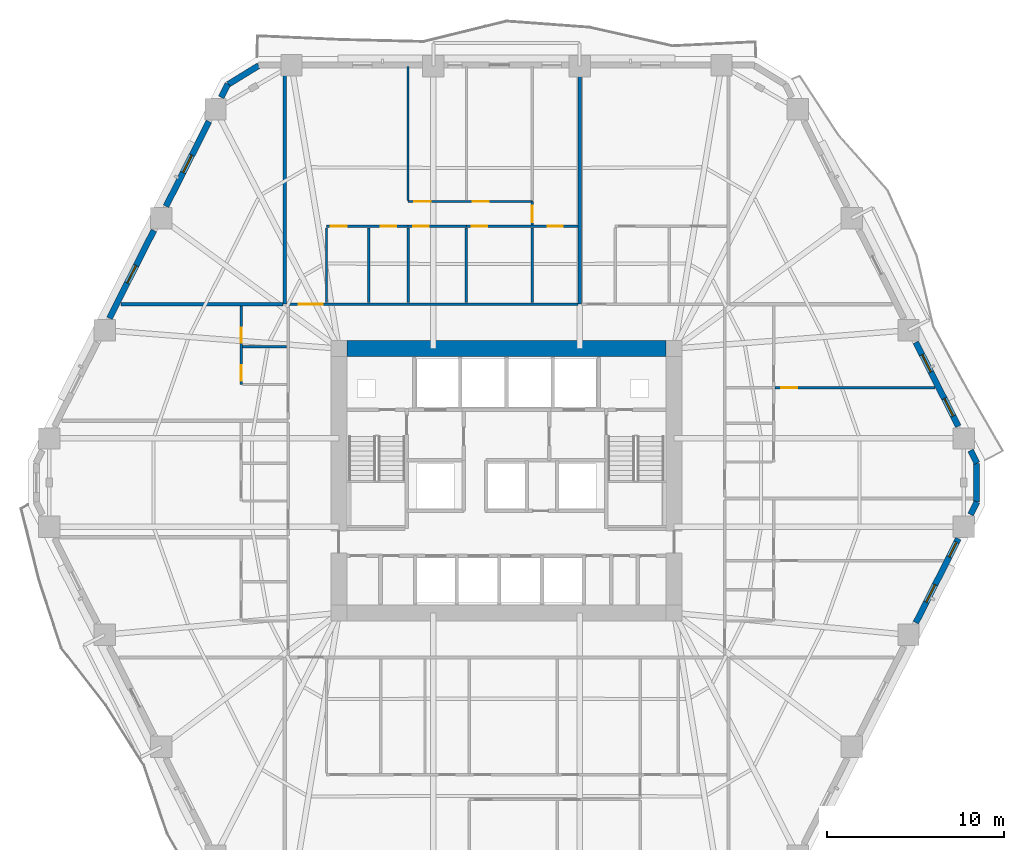
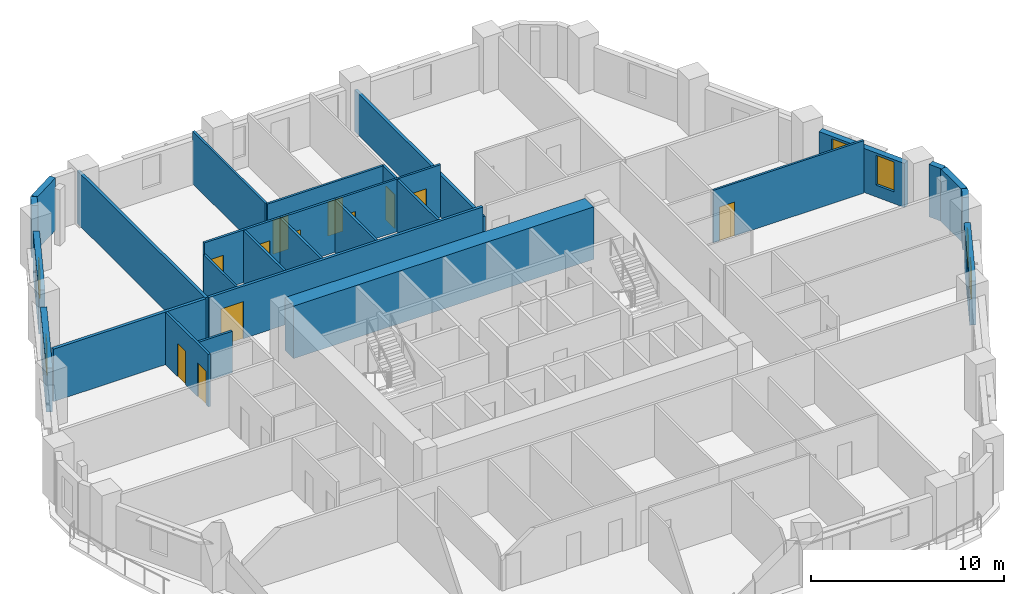
# One storey, part 7 of 14: 28 walls, 12 doors, 6 windows, 18 openings.
"""IFC4 building model written with IfcOpenShell, lengths in metres."""

from ifc_helpers import new_model, si_unit, direction, frame, frame_2d, origin, place, context, subcontext, project, spatial, rectangle, extrude, material, layer, layer_set, type_object, element, fill, save


model = new_model("IFC4")

# Units and contexts
model_context = context("Model", 3, precision=1e-05, world=origin(), true_north=direction((0.0, 1.0)))
body_context = subcontext(model_context, "Body", "Model", "MODEL_VIEW")
ifc_project = project(units=[si_unit("LENGTHUNIT", "METRE"), si_unit("AREAUNIT", "SQUARE_METRE"), si_unit("VOLUMEUNIT", "CUBIC_METRE"), si_unit("PLANEANGLEUNIT", "RADIAN"), si_unit("MASSUNIT", "GRAM", prefix="KILO")], contexts=[model_context])

# Site, building, storey
site_placement = place(None, origin())
site = spatial("IfcSite", under=ifc_project, at=site_placement, CompositionType="ELEMENT")
building_placement = place(site_placement, origin())
building = spatial("IfcBuilding", under=site, at=building_placement, Name="Cinnabar Lancet Tower", CompositionType="ELEMENT")
storey_placement = place(building_placement, frame((0.0, 0.0, 67.5)))
storey = spatial("IfcBuildingStorey", under=building, at=storey_placement, Name="L17", CompositionType="ELEMENT", Elevation=67.5)

# Wall, opening, door
ifc_material_1 = material(Name="Acoustic twin-stud gypsum partition", Category="gypsum")
ifc_layer_1 = layer(ifc_material_1, 0.159912109375)
ifc_layer_set_1 = layer_set([ifc_layer_1], Name="Acoustic twin-stud gypsum partition")
wall_type_1 = type_object("IfcWallType", Name="ARC-WL-CORR-160", PredefinedType="PARTITIONING", material=ifc_layer_set_1)
wall_1_placement = place(storey_placement, frame((19.9951171875, 35.85009765625, 0.0), z_axis=(0.0, 0.0, 1.0), x_axis=(1.0, 0.0, 0.0)))
wall_1 = element("IfcWall", 1, at=wall_1_placement, inside=storey, type_object=wall_type_1, Name="L17 Unit N01 Corridor Wall", PredefinedType="PARTITIONING", context=body_context, shape_type="SweptSolid", body=[
    extrude(rectangle(XDim=16.431884765625, YDim=0.159912109375, at=frame_2d((8.2158203125, 0.0))), origin(), (0.0, 0.0, 1.0), 3.330078125),
])
opening_1_placement = place(wall_1_placement, frame((0.705078125, 0.0, 0.0)))
opening_1 = element("IfcOpeningElement", 2, at=opening_1_placement, cuts=wall_1, Name="Opening UD-02", PredefinedType="OPENING", context=body_context, shape_type="SweptSolid", body=[
    extrude(rectangle(XDim=1.35009765625, YDim=2.35009765625, at=frame_2d((0.675048828125, 1.175048828125))), frame((0.0, 0.08984375, 0.0), z_axis=(0.0, -1.0, 0.0), x_axis=(1.0, 0.0, 0.0)), (0.0, 0.0, 1.0), 0.179931640625),
])
ifc_material_2 = material(Name="Double-leaf solid timber penthouse entrance door", Category="wood")
door_type_1 = type_object("IfcDoorType", Name="ARC-DR-UNIT-PH", OperationType="NOTDEFINED", PredefinedType="DOOR", material=ifc_material_2)
door_1_placement = place(opening_1_placement, origin())
door_1 = element("IfcDoor", 3, at=door_1_placement, inside=storey, type_object=door_type_1, Name="DR-L17-N01-ENT", OperationType="SINGLE_SWING_RIGHT", OverallHeight=2.35009765625, OverallWidth=1.35009765625, PredefinedType="DOOR", context=body_context, shape_type="SweptSolid", body=[
    extrude(rectangle(XDim=1.35009765625, YDim=2.35009765625, at=frame_2d((0.675048828125, 1.175048828125))), frame((0.0, 0.02490234375, 0.0), z_axis=(0.0, -1.0, 0.0), x_axis=(1.0, 0.0, 0.0)), (0.0, 0.0, 1.0), 0.050048828125),
])
fill(opening_1, door_1)

# Walls
ifc_material_3 = material(Name="Fire-rated twin-frame acoustic drywall", Category="gypsum")
ifc_layer_2 = layer(ifc_material_3, 0.179931640625)
ifc_layer_set_2 = layer_set([ifc_layer_2], Name="Fire-rated twin-frame acoustic drywall")
wall_type_2 = type_object("IfcWallType", Name="ARC-WL-PARTY-180", PredefinedType="PARTITIONING", material=ifc_layer_set_2)
wall_2_placement = place(storey_placement, frame((19.89990234375, 35.85009765625, 0.0), z_axis=(0.0, 0.0, 1.0), x_axis=(0.0, 1.0, 0.0)))
element("IfcWall", 4, at=wall_2_placement, inside=storey, type_object=wall_type_2, Name="PW-L17-NPTY-199", PredefinedType="PARTITIONING", context=body_context, shape_type="SweptSolid", body=[
    extrude(rectangle(XDim=13.294921875, YDim=0.179931640625, at=frame_2d((6.6474609375, 0.0))), origin(), (0.0, 0.0, 1.0), 3.330078125),
])
wall_3_placement = place(storey_placement, frame((36.52197265625, 35.85009765625, 0.0), z_axis=(0.0, 0.0, 1.0), x_axis=(0.0, 1.0, 0.0)))
element("IfcWall", 5, at=wall_3_placement, inside=storey, type_object=wall_type_2, Name="PW-L17-NPTY-365", PredefinedType="PARTITIONING", context=body_context, shape_type="SweptSolid", body=[
    extrude(rectangle(XDim=13.294921875, YDim=0.179931640625, at=frame_2d((6.6474609375, 0.0))), origin(), (0.0, 0.0, 1.0), 2.635986328125),
])
wall_4_placement = place(storey_placement, frame((10.6650390625, 35.85009765625, 0.0), z_axis=(0.0, 0.0, 1.0), x_axis=(1.0, 0.0, 0.0)))
element("IfcWall", 6, at=wall_4_placement, inside=storey, type_object=wall_type_2, Name="PW-L17-WNB", PredefinedType="PARTITIONING", context=body_context, shape_type="SweptSolid", body=[
    extrude(rectangle(XDim=9.139892578125, YDim=0.179931640625, at=frame_2d((4.56982421875, 0.0))), origin(), (0.0, 0.0, 1.0), 3.330078125),
])
ifc_material_4 = material(Name="Gypsum plasterboard stud partition", Category="gypsum")
ifc_layer_3 = layer(ifc_material_4, 0.125)
ifc_layer_set_3 = layer_set([ifc_layer_3], Name="Gypsum plasterboard stud partition")
wall_type_3 = type_object("IfcWallType", Name="ARC-WL-UNIT-125", PredefinedType="PARTITIONING", material=ifc_layer_set_3)
wall_5_placement = place(storey_placement, frame((22.25, 35.93505859375, 0.0), z_axis=(0.0, 0.0, 1.0), x_axis=(0.0, 1.0, 0.0)))
element("IfcWall", 7, at=wall_5_placement, inside=storey, type_object=wall_type_3, Name="UW-L17-N01-FOYE", PredefinedType="PARTITIONING", context=body_context, shape_type="SweptSolid", body=[
    extrude(rectangle(XDim=4.197021484375, YDim=0.125, at=frame_2d((2.0986328125, 0.0))), origin(), (0.0, 0.0, 1.0), 2.635986328125),
])

# Wall, openings, doors
wall_6_placement = place(storey_placement, frame((30.137939453125, 40.237060546875, 0.0), z_axis=(0.0, 0.0, 1.0), x_axis=(1.0, 0.0, 0.0)))
wall_6 = element("IfcWall", 8, at=wall_6_placement, inside=storey, type_object=wall_type_3, Name="UW-L17-N01-SP2", PredefinedType="PARTITIONING", context=body_context, shape_type="SweptSolid", body=[
    extrude(rectangle(XDim=6.2890625, YDim=0.125, at=frame_2d((3.14453125, 0.0))), origin(), (0.0, 0.0, 1.0), 3.330078125),
])
opening_2_placement = place(wall_6_placement, frame((4.574951171875, 0.0, 0.0)))
opening_2 = element("IfcOpeningElement", 9, at=opening_2_placement, cuts=wall_6, Name="Opening BD-01", PredefinedType="OPENING", context=body_context, shape_type="SweptSolid", body=[
    extrude(rectangle(XDim=0.860107421875, YDim=2.10009765625, at=frame_2d((0.43017578125, 1.050048828125))), frame((0.0, 0.072509765625, 0.0), z_axis=(0.0, -1.0, 0.0), x_axis=(1.0, 0.0, 0.0)), (0.0, 0.0, 1.0), 0.14501953125),
])
opening_3_placement = place(wall_6_placement, frame((0.300048828125, 0.0, 0.0)))
opening_3 = element("IfcOpeningElement", 10, at=opening_3_placement, cuts=wall_6, Name="Opening RD-02", PredefinedType="OPENING", context=body_context, shape_type="SweptSolid", body=[
    extrude(rectangle(XDim=0.8798828125, YDim=2.14990234375, at=frame_2d((0.43994140625, 1.074951171875))), frame((0.0, 0.072509765625, 0.0), z_axis=(0.0, -1.0, 0.0), x_axis=(1.0, 0.0, 0.0)), (0.0, 0.0, 1.0), 0.14501953125),
])
ifc_material_5 = material(Name="Moisture-resistant timber bathroom door", Category="wood")
door_type_2 = type_object("IfcDoorType", Name="ARC-DR-BATH", OperationType="NOTDEFINED", PredefinedType="DOOR", material=ifc_material_5)
door_2_placement = place(opening_2_placement, origin())
door_2 = element("IfcDoor", 11, at=door_2_placement, inside=storey, type_object=door_type_2, Name="DR-L17-N01-ENS", OperationType="SINGLE_SWING_LEFT", OverallHeight=2.10009765625, OverallWidth=0.860107421875, PredefinedType="DOOR", context=body_context, shape_type="SweptSolid", body=[
    extrude(rectangle(XDim=0.860107421875, YDim=2.10009765625, at=frame_2d((0.43017578125, 1.050048828125))), frame((0.0, 0.02490234375, 0.0), z_axis=(0.0, -1.0, 0.0), x_axis=(1.0, 0.0, 0.0)), (0.0, 0.0, 1.0), 0.050048828125),
])
fill(opening_2, door_2)
ifc_material_6 = material(Name="Engineered timber study door", Category="wood")
door_type_3 = type_object("IfcDoorType", Name="ARC-DR-STUDY", OperationType="NOTDEFINED", PredefinedType="DOOR", material=ifc_material_6)
door_3_placement = place(opening_3_placement, origin())
door_3 = element("IfcDoor", 12, at=door_3_placement, inside=storey, type_object=door_type_3, Name="DR-L17-N01-DRS", OperationType="SINGLE_SWING_RIGHT", OverallHeight=2.14990234375, OverallWidth=0.8798828125, PredefinedType="DOOR", context=body_context, shape_type="SweptSolid", body=[
    extrude(rectangle(XDim=0.8798828125, YDim=2.14990234375, at=frame_2d((0.43994140625, 1.074951171875))), frame((0.0, 0.02490234375, 0.0), z_axis=(0.0, -1.0, 0.0), x_axis=(1.0, 0.0, 0.0)), (0.0, 0.0, 1.0), 0.050048828125),
])
fill(opening_3, door_3)

# Wall
wall_7_placement = place(storey_placement, frame((26.85009765625, 41.701904296875, 0.0), z_axis=(0.0, 0.0, 1.0), x_axis=(0.0, 1.0, 0.0)))
element("IfcWall", 13, at=wall_7_placement, inside=storey, type_object=wall_type_3, Name="UW-L17-N01-BD2W", PredefinedType="PARTITIONING", context=body_context, shape_type="SweptSolid", body=[
    extrude(rectangle(XDim=7.533203125, YDim=0.125, at=frame_2d((3.7666015625, 0.0))), origin(), (0.0, 0.0, 1.0), 3.330078125),
])

# Wall, openings, doors
wall_8_placement = place(storey_placement, frame((26.85009765625, 41.636962890625, 0.0), z_axis=(0.0, 0.0, 1.0), x_axis=(1.0, 0.0, 0.0)))
wall_8 = element("IfcWall", 14, at=wall_8_placement, inside=storey, type_object=wall_type_3, Name="UW-L17-N01-HLN", PredefinedType="PARTITIONING", context=body_context, shape_type="SweptSolid", body=[
    extrude(rectangle(XDim=7.0, YDim=0.125, at=frame_2d((3.5, 0.0))), origin(), (0.0, 0.0, 1.0), 3.330078125),
])
opening_4_placement = place(wall_8_placement, frame((0.35009765625, 0.0, 0.0)))
opening_4 = element("IfcOpeningElement", 15, at=opening_4_placement, cuts=wall_8, Name="Opening RD-01", PredefinedType="OPENING", context=body_context, shape_type="SweptSolid", body=[
    extrude(rectangle(XDim=0.919921875, YDim=2.14990234375, at=frame_2d((0.4599609375, 1.074951171875))), frame((0.0, 0.072509765625, 0.0), z_axis=(0.0, -1.0, 0.0), x_axis=(1.0, 0.0, 0.0)), (0.0, 0.0, 1.0), 0.14501953125),
])
opening_5_placement = place(wall_8_placement, frame((3.637939453125, 0.0, 0.0)))
opening_5 = element("IfcOpeningElement", 16, at=opening_5_placement, cuts=wall_8, Name="Opening RD-01", PredefinedType="OPENING", context=body_context, shape_type="SweptSolid", body=[
    extrude(rectangle(XDim=0.919921875, YDim=2.14990234375, at=frame_2d((0.4599609375, 1.074951171875))), frame((0.0, 0.072509765625, 0.0), z_axis=(0.0, -1.0, 0.0), x_axis=(1.0, 0.0, 0.0)), (0.0, 0.0, 1.0), 0.14501953125),
])
ifc_material_7 = material(Name="Engineered timber bedroom door", Category="wood")
door_type_4 = type_object("IfcDoorType", Name="ARC-DR-ROOM", OperationType="NOTDEFINED", PredefinedType="DOOR", material=ifc_material_7)
door_4_placement = place(opening_4_placement, origin())
door_4 = element("IfcDoor", 17, at=door_4_placement, inside=storey, type_object=door_type_4, Name="DR-L17-N01-BD2", OperationType="SINGLE_SWING_LEFT", OverallHeight=2.14990234375, OverallWidth=0.919921875, PredefinedType="DOOR", context=body_context, shape_type="SweptSolid", body=[
    extrude(rectangle(XDim=0.919921875, YDim=2.14990234375, at=frame_2d((0.4599609375, 1.074951171875))), frame((0.0, 0.02490234375, 0.0), z_axis=(0.0, -1.0, 0.0), x_axis=(1.0, 0.0, 0.0)), (0.0, 0.0, 1.0), 0.050048828125),
])
fill(opening_4, door_4)
door_5_placement = place(opening_5_placement, origin())
door_5 = element("IfcDoor", 18, at=door_5_placement, inside=storey, type_object=door_type_4, Name="DR-L17-N01-BD3", OperationType="SINGLE_SWING_RIGHT", OverallHeight=2.14990234375, OverallWidth=0.919921875, PredefinedType="DOOR", context=body_context, shape_type="SweptSolid", body=[
    extrude(rectangle(XDim=0.919921875, YDim=2.14990234375, at=frame_2d((0.4599609375, 1.074951171875))), frame((0.0, 0.02490234375, 0.0), z_axis=(0.0, -1.0, 0.0), x_axis=(1.0, 0.0, 0.0)), (0.0, 0.0, 1.0), 0.050048828125),
])
fill(opening_5, door_5)

# Wall, opening, door
wall_9_placement = place(storey_placement, frame((33.85009765625, 40.306884765625, 0.0), z_axis=(0.0, 0.0, 1.0), x_axis=(0.0, 1.0, 0.0)))
wall_9 = element("IfcWall", 19, at=wall_9_placement, inside=storey, type_object=wall_type_3, Name="UW-L17-N01-MBE", PredefinedType="PARTITIONING", context=body_context, shape_type="SweptSolid", body=[
    extrude(rectangle(XDim=1.330078125, YDim=0.125, at=frame_2d((0.6650390625, 0.0))), origin(), (0.0, 0.0, 1.0), 3.330078125),
])
opening_6_placement = place(wall_9_placement, frame((0.159912109375, 0.0, 0.0)))
opening_6 = element("IfcOpeningElement", 20, at=opening_6_placement, cuts=wall_9, Name="Opening RD-01", PredefinedType="OPENING", context=body_context, shape_type="SweptSolid", body=[
    extrude(rectangle(XDim=0.919921875, YDim=2.14990234375, at=frame_2d((0.4599609375, 1.074951171875))), frame((0.0, 0.072509765625, 0.0), z_axis=(0.0, -1.0, 0.0), x_axis=(1.0, 0.0, 0.0)), (0.0, 0.0, 1.0), 0.14501953125),
])
door_6_placement = place(opening_6_placement, origin())
door_6 = element("IfcDoor", 21, at=door_6_placement, inside=storey, type_object=door_type_4, Name="DR-L17-N01-MBD", OperationType="SINGLE_SWING_LEFT", OverallHeight=2.14990234375, OverallWidth=0.919921875, PredefinedType="DOOR", context=body_context, shape_type="SweptSolid", body=[
    extrude(rectangle(XDim=0.919921875, YDim=2.14990234375, at=frame_2d((0.4599609375, 1.074951171875))), frame((0.0, 0.02490234375, 0.0), z_axis=(0.0, -1.0, 0.0), x_axis=(1.0, 0.0, 0.0)), (0.0, 0.0, 1.0), 0.050048828125),
])
fill(opening_6, door_6)

wall_10_placement = place(storey_placement, frame((47.52490234375, 31.136962890625, 0.0), z_axis=(0.0, 0.0, 1.0), x_axis=(1.0, 0.0, 0.0)))
wall_10 = element("IfcWall", 22, at=wall_10_placement, inside=storey, type_object=wall_type_3, Name="UW-L17-E02-MBN", PredefinedType="PARTITIONING", context=body_context, shape_type="SweptSolid", body=[
    extrude(rectangle(XDim=9.010009765625, YDim=0.125, at=frame_2d((4.5048828125, 0.0))), origin(), (0.0, 0.0, 1.0), 3.330078125),
])
opening_7_placement = place(wall_10_placement, frame((0.35009765625, 0.0, 0.0)))
opening_7 = element("IfcOpeningElement", 23, at=opening_7_placement, cuts=wall_10, Name="Opening RD-01", PredefinedType="OPENING", context=body_context, shape_type="SweptSolid", body=[
    extrude(rectangle(XDim=0.919921875, YDim=2.14990234375, at=frame_2d((0.4599609375, 1.074951171875))), frame((0.0, 0.072509765625, 0.0), z_axis=(0.0, -1.0, 0.0), x_axis=(1.0, 0.0, 0.0)), (0.0, 0.0, 1.0), 0.14501953125),
])
door_7_placement = place(opening_7_placement, origin())
door_7 = element("IfcDoor", 24, at=door_7_placement, inside=storey, type_object=door_type_4, Name="DR-L17-E02-MBD", OperationType="SINGLE_SWING_LEFT", OverallHeight=2.14990234375, OverallWidth=0.919921875, PredefinedType="DOOR", context=body_context, shape_type="SweptSolid", body=[
    extrude(rectangle(XDim=0.919921875, YDim=2.14990234375, at=frame_2d((0.4599609375, 1.074951171875))), frame((0.0, 0.02490234375, 0.0), z_axis=(0.0, -1.0, 0.0), x_axis=(1.0, 0.0, 0.0)), (0.0, 0.0, 1.0), 0.050048828125),
])
fill(opening_7, door_7)

# Wall, openings, doors
ifc_material_8 = material(Name="Moisture-resistant cement-board plumbing wall", Category="masonry")
ifc_layer_4 = layer(ifc_material_8, 0.139892578125)
ifc_layer_set_4 = layer_set([ifc_layer_4], Name="Moisture-resistant cement-board plumbing wall")
wall_type_4 = type_object("IfcWallType", Name="ARC-WL-WET-140", PredefinedType="PLUMBINGWALL", material=ifc_layer_set_4)
wall_11_placement = place(storey_placement, frame((22.25, 40.237060546875, 0.0), z_axis=(0.0, 0.0, 1.0), x_axis=(1.0, 0.0, 0.0)))
wall_11 = element("IfcWall", 25, at=wall_11_placement, inside=storey, type_object=wall_type_4, Name="UW-L17-N01-SPL", PredefinedType="PLUMBINGWALL", context=body_context, shape_type="SweptSolid", body=[
    extrude(rectangle(XDim=4.60009765625, YDim=0.139892578125, at=frame_2d((2.300048828125, 0.0))), origin(), (0.0, 0.0, 1.0), 3.330078125),
])
opening_8_placement = place(wall_11_placement, frame((3.071044921875, 0.0, 0.0)))
opening_8 = element("IfcOpeningElement", 26, at=opening_8_placement, cuts=wall_11, Name="Opening BD-01", PredefinedType="OPENING", context=body_context, shape_type="SweptSolid", body=[
    extrude(rectangle(XDim=0.860107421875, YDim=2.10009765625, at=frame_2d((0.43017578125, 1.050048828125))), frame((0.0, 0.079833984375, 0.0), z_axis=(0.0, -1.0, 0.0), x_axis=(1.0, 0.0, 0.0)), (0.0, 0.0, 1.0), 0.159912109375),
])
opening_9_placement = place(wall_11_placement, frame((0.260009765625, 0.0, 0.0)))
opening_9 = element("IfcOpeningElement", 27, at=opening_9_placement, cuts=wall_11, Name="Opening RD-02", PredefinedType="OPENING", context=body_context, shape_type="SweptSolid", body=[
    extrude(rectangle(XDim=0.8798828125, YDim=2.14990234375, at=frame_2d((0.43994140625, 1.074951171875))), frame((0.0, 0.079833984375, 0.0), z_axis=(0.0, -1.0, 0.0), x_axis=(1.0, 0.0, 0.0)), (0.0, 0.0, 1.0), 0.159912109375),
])
door_8_placement = place(opening_8_placement, origin())
door_8 = element("IfcDoor", 28, at=door_8_placement, inside=storey, type_object=door_type_2, Name="DR-L17-N01-BTH", OperationType="SINGLE_SWING_RIGHT", OverallHeight=2.10009765625, OverallWidth=0.860107421875, PredefinedType="DOOR", context=body_context, shape_type="SweptSolid", body=[
    extrude(rectangle(XDim=0.860107421875, YDim=2.10009765625, at=frame_2d((0.43017578125, 1.050048828125))), frame((0.0, 0.02490234375, 0.0), z_axis=(0.0, -1.0, 0.0), x_axis=(1.0, 0.0, 0.0)), (0.0, 0.0, 1.0), 0.050048828125),
])
fill(opening_8, door_8)
door_9_placement = place(opening_9_placement, origin())
door_9 = element("IfcDoor", 29, at=door_9_placement, inside=storey, type_object=door_type_3, Name="DR-L17-N01-KIT", OperationType="SINGLE_SWING_LEFT", OverallHeight=2.14990234375, OverallWidth=0.8798828125, PredefinedType="DOOR", context=body_context, shape_type="SweptSolid", body=[
    extrude(rectangle(XDim=0.8798828125, YDim=2.14990234375, at=frame_2d((0.43994140625, 1.074951171875))), frame((0.0, 0.02490234375, 0.0), z_axis=(0.0, -1.0, 0.0), x_axis=(1.0, 0.0, 0.0)), (0.0, 0.0, 1.0), 0.050048828125),
])
fill(opening_9, door_9)

# Wall, opening, door
wall_12_placement = place(storey_placement, frame((26.85009765625, 40.237060546875, 0.0), z_axis=(0.0, 0.0, 1.0), x_axis=(1.0, 0.0, 0.0)))
wall_12 = element("IfcWall", 30, at=wall_12_placement, inside=storey, type_object=wall_type_4, Name="UW-L17-N01-SPM", PredefinedType="PLUMBINGWALL", context=body_context, shape_type="SweptSolid", body=[
    extrude(rectangle(XDim=3.287841796875, YDim=0.139892578125, at=frame_2d((1.64404296875, 0.0))), origin(), (0.0, 0.0, 1.0), 3.330078125),
])
opening_10_placement = place(wall_12_placement, frame((0.300048828125, 0.0, 0.0)))
opening_10 = element("IfcOpeningElement", 31, at=opening_10_placement, cuts=wall_12, Name="Opening RD-02", PredefinedType="OPENING", context=body_context, shape_type="SweptSolid", body=[
    extrude(rectangle(XDim=0.8798828125, YDim=2.14990234375, at=frame_2d((0.43994140625, 1.074951171875))), frame((0.0, 0.079833984375, 0.0), z_axis=(0.0, -1.0, 0.0), x_axis=(1.0, 0.0, 0.0)), (0.0, 0.0, 1.0), 0.159912109375),
])
door_10_placement = place(opening_10_placement, origin())
door_10 = element("IfcDoor", 32, at=door_10_placement, inside=storey, type_object=door_type_3, Name="DR-L17-N01-UTL", OperationType="SINGLE_SWING_RIGHT", OverallHeight=2.14990234375, OverallWidth=0.8798828125, PredefinedType="DOOR", context=body_context, shape_type="SweptSolid", body=[
    extrude(rectangle(XDim=0.8798828125, YDim=2.14990234375, at=frame_2d((0.43994140625, 1.074951171875))), frame((0.0, 0.02490234375, 0.0), z_axis=(0.0, -1.0, 0.0), x_axis=(1.0, 0.0, 0.0)), (0.0, 0.0, 1.0), 0.050048828125),
])
fill(opening_10, door_10)

# Walls
for number, where, z_axis, x_axis, name in (
    (33, (24.64208984375, 35.93505859375, 0.0), (0.0, 0.0, 1.0), (0.0, 1.0, 0.0), "UW-L17-N01-KDV"),
    (34, (26.85009765625, 35.93505859375, 0.0), (0.0, 0.0, 1.0), (0.0, 1.0, 0.0), "UW-L17-N01-ENSW"),
    (35, (30.137939453125, 35.93505859375, 0.0), (0.0, 0.0, 1.0), (0.0, 1.0, 0.0), "UW-L17-N01-ENSE"),
    (36, (33.85009765625, 35.93505859375, 0.0), (0.0, 0.0, 1.0), (0.0, 1.0, 0.0), "UW-L17-N01-UT3"),
):
    element("IfcWall", number, at=place(storey_placement, frame(where, z_axis=z_axis, x_axis=x_axis)), inside=storey, type_object=wall_type_4, Name=name, PredefinedType="PLUMBINGWALL", context=body_context, shape_type="SweptSolid", body=[
        extrude(rectangle(XDim=4.197021484375, YDim=0.139892578125, at=frame_2d((2.0986328125, 0.0))), origin(), (0.0, 0.0, 1.0), 3.330078125),
    ])

# Wall, openings, doors
wall_13_placement = place(storey_placement, frame((17.449951171875, 31.3330078125, 0.0), z_axis=(0.0, 0.0, 1.0), x_axis=(0.0, 1.0, 0.0)))
wall_13 = element("IfcWall", 37, at=wall_13_placement, inside=storey, type_object=wall_type_4, Name="UW-L17-W03-SPL", PredefinedType="PLUMBINGWALL", context=body_context, shape_type="SweptSolid", body=[
    extrude(rectangle(XDim=4.421875, YDim=0.139892578125, at=frame_2d((2.2109375, 0.0))), origin(), (0.0, 0.0, 1.0), 3.330078125),
])
opening_11_placement = place(wall_13_placement, frame((2.343017578125, 0.0, 0.0)))
opening_11 = element("IfcOpeningElement", 38, at=opening_11_placement, cuts=wall_13, Name="Opening BD-01", PredefinedType="OPENING", context=body_context, shape_type="SweptSolid", body=[
    extrude(rectangle(XDim=0.860107421875, YDim=2.10009765625, at=frame_2d((0.43017578125, 1.050048828125))), frame((0.0, 0.079833984375, 0.0), z_axis=(0.0, -1.0, 0.0), x_axis=(1.0, 0.0, 0.0)), (0.0, 0.0, 1.0), 0.159912109375),
])
opening_12_placement = place(wall_13_placement, frame((0.199951171875, 0.0, 0.0)))
opening_12 = element("IfcOpeningElement", 39, at=opening_12_placement, cuts=wall_13, Name="Opening RD-02", PredefinedType="OPENING", context=body_context, shape_type="SweptSolid", body=[
    extrude(rectangle(XDim=0.8798828125, YDim=2.14990234375, at=frame_2d((0.43994140625, 1.074951171875))), frame((0.0, 0.079833984375, 0.0), z_axis=(0.0, -1.0, 0.0), x_axis=(1.0, 0.0, 0.0)), (0.0, 0.0, 1.0), 0.159912109375),
])
door_11_placement = place(opening_11_placement, origin())
door_11 = element("IfcDoor", 40, at=door_11_placement, inside=storey, type_object=door_type_2, Name="DR-L17-W03-BTH", OperationType="SINGLE_SWING_LEFT", OverallHeight=2.10009765625, OverallWidth=0.860107421875, PredefinedType="DOOR", context=body_context, shape_type="SweptSolid", body=[
    extrude(rectangle(XDim=0.860107421875, YDim=2.10009765625, at=frame_2d((0.43017578125, 1.050048828125))), frame((0.0, 0.02490234375, 0.0), z_axis=(0.0, -1.0, 0.0), x_axis=(1.0, 0.0, 0.0)), (0.0, 0.0, 1.0), 0.050048828125),
])
fill(opening_11, door_11)
door_12_placement = place(opening_12_placement, origin())
door_12 = element("IfcDoor", 41, at=door_12_placement, inside=storey, type_object=door_type_3, Name="DR-L17-W03-KIT", OperationType="SINGLE_SWING_RIGHT", OverallHeight=2.14990234375, OverallWidth=0.8798828125, PredefinedType="DOOR", context=body_context, shape_type="SweptSolid", body=[
    extrude(rectangle(XDim=0.8798828125, YDim=2.14990234375, at=frame_2d((0.43994140625, 1.074951171875))), frame((0.0, 0.02490234375, 0.0), z_axis=(0.0, -1.0, 0.0), x_axis=(1.0, 0.0, 0.0)), (0.0, 0.0, 1.0), 0.050048828125),
])
fill(opening_12, door_12)

# Walls
wall_14_placement = place(storey_placement, frame((17.534912109375, 33.4560546875, 0.0), z_axis=(0.0, 0.0, 1.0), x_axis=(1.0, 0.0, 0.0)))
element("IfcWall", 42, at=wall_14_placement, inside=storey, type_object=wall_type_4, Name="UW-L17-W03-KDV", PredefinedType="PLUMBINGWALL", context=body_context, shape_type="SweptSolid", body=[
    extrude(rectangle(XDim=2.47998046875, YDim=0.139892578125, at=frame_2d((1.239990234375, 0.0))), origin(), (0.0, 0.0, 1.0), 2.635986328125),
])
ifc_material_9 = material(Name="Cinnabar red clay brick", Category="masonry")
ifc_layer_5 = layer(ifc_material_9, 0.340087890625)
ifc_layer_set_5 = layer_set([ifc_layer_5], Name="Cinnabar red clay brick")
wall_type_5 = type_object("IfcWallType", Name="ENV-WL-BRK-RED-340", PredefinedType="STANDARD", material=ifc_layer_set_5)
wall_15_placement = place(storey_placement, frame((58.887939453125, 24.714111328125, 0.0), z_axis=(0.0, 0.0, 1.0), x_axis=(0.0, 1.0, 0.0)))
element("IfcWall", 43, at=wall_15_placement, inside=storey, type_object=wall_type_5, Name="L17 Chamfered Corner Brick Pier 3.1", PredefinedType="STANDARD", context=body_context, shape_type="SweptSolid", body=[
    extrude(rectangle(XDim=2.171875, YDim=0.340087890625, at=frame_2d((1.0859375, 0.0))), origin(), (0.0, 0.0, 1.0), 3.330078125),
])
wall_16_placement = place(storey_placement, frame((18.43896484375, 49.294921875, 0.0), z_axis=(0.0, 0.0, 1.0), x_axis=(-0.851870104345, -0.523753114857, 0.0)))
element("IfcWall", 44, at=wall_16_placement, inside=storey, type_object=wall_type_5, Name="L17 Chamfered Corner Brick Pier 5.1", PredefinedType="STANDARD", context=body_context, shape_type="SweptSolid", body=[
    extrude(rectangle(XDim=2.017822265625, YDim=0.340087890625, at=frame_2d((1.0087890625, 0.0))), origin(), (0.0, 0.0, 1.0), 3.330078125),
])

# Wall, openings, windows
wall_17_placement = place(storey_placement, frame((55.465087890625, 17.90087890625, 0.0), z_axis=(0.0, 0.0, 1.0), x_axis=(0.451572088722, 0.892234637686, 0.0)))
wall_17 = element("IfcWall", 45, at=wall_17_placement, inside=storey, type_object=wall_type_5, Name="L17 Face 2 Masonry Bay Wall 4", PredefinedType="STANDARD", context=body_context, shape_type="SweptSolid", body=[
    extrude(rectangle(XDim=5.3037109375, YDim=0.340087890625, at=frame_2d((2.65185546875, 0.0))), origin(), (0.0, 0.0, 1.0), 2.787109375),
])
opening_13_placement = place(wall_17_placement, frame((1.300048828125, 0.0, 0.75)))
opening_13 = element("IfcOpeningElement", 46, at=opening_13_placement, cuts=wall_17, Name="Opening WN-04", PredefinedType="OPENING", context=body_context, shape_type="SweptSolid", body=[
    extrude(rectangle(XDim=1.10009765625, YDim=1.886962890625, at=frame_2d((0.550048828125, 0.943359375))), frame((0.0, 0.179931640625, 0.0), z_axis=(0.0, -1.0, 0.0), x_axis=(1.0, 0.0, 0.0)), (0.0, 0.0, 1.0), 0.360107421875),
])
opening_14_placement = place(wall_17_placement, frame((4.158935546875, 0.0, 0.75)))
opening_14 = element("IfcOpeningElement", 47, at=opening_14_placement, cuts=wall_17, Name="Opening WN-04", PredefinedType="OPENING", context=body_context, shape_type="SweptSolid", body=[
    extrude(rectangle(XDim=0.924072265625, YDim=1.886962890625, at=frame_2d((0.4619140625, 0.943359375))), frame((0.0, 0.179931640625, 0.0), z_axis=(0.0, -1.0, 0.0), x_axis=(1.0, 0.0, 0.0)), (0.0, 0.0, 1.0), 0.360107421875),
])
ifc_material_10 = material(Name="Thermally broken bronze-anodized aluminium tall lancet window", Category="aluminium")
window_type = type_object("IfcWindowType", Name="ENV-WN-LANCET-1100", PartitioningType="SINGLE_PANEL", PredefinedType="WINDOW", material=ifc_material_10)
window_1_placement = place(opening_13_placement, origin())
window_1 = element("IfcWindow", 48, at=window_1_placement, inside=storey, type_object=window_type, Name="L17 Face 2 Gothic Lancet Window 4", OverallHeight=1.886962890625, OverallWidth=1.10009765625, PartitioningType="SINGLE_PANEL", PredefinedType="WINDOW", context=body_context, shape_type="SweptSolid", body=[
    extrude(rectangle(XDim=1.10009765625, YDim=1.886962890625, at=frame_2d((0.550048828125, 0.943359375))), frame((0.0, 0.030029296875, 0.0), z_axis=(0.0, -1.0, 0.0), x_axis=(1.0, 0.0, 0.0)), (0.0, 0.0, 1.0), 0.06005859375),
])
fill(opening_13, window_1)
window_2_placement = place(opening_14_placement, origin())
window_2 = element("IfcWindow", 49, at=window_2_placement, inside=storey, type_object=window_type, Name="L17 Split-Bay Gothic Lancet Window 42", OverallHeight=1.886962890625, OverallWidth=0.924072265625, PartitioningType="SINGLE_PANEL", PredefinedType="WINDOW", context=body_context, shape_type="SweptSolid", body=[
    extrude(rectangle(XDim=0.924072265625, YDim=1.886962890625, at=frame_2d((0.4619140625, 0.943359375))), frame((0.0, 0.030029296875, 0.0), z_axis=(0.0, -1.0, 0.0), x_axis=(1.0, 0.0, 0.0)), (0.0, 0.0, 1.0), 0.06005859375),
])
fill(opening_14, window_2)

# Walls
for number, where, z_axis, x_axis, name in (
    (50, (58.548095703125, 23.9951171875, 0.0), (0.0, 0.0, 1.0), (0.452101093511, 0.891966704113, 0.0), "L17 Face 2 Masonry Bay Wall 5"),
    (51, (58.908935546875, 26.89306640625, 0.0), (0.0, 0.0, 1.0), (-0.452101093511, 0.891966704113, 0.0), "L17 Face 3 Masonry Bay Wall 1"),
):
    element("IfcWall", number, at=place(storey_placement, frame(where, z_axis=z_axis, x_axis=x_axis)), inside=storey, type_object=wall_type_5, Name=name, PredefinedType="STANDARD", context=body_context, shape_type="SweptSolid", body=[
        extrude(rectangle(XDim=0.798095703125, YDim=0.340087890625, at=frame_2d((0.39892578125, 0.0))), origin(), (0.0, 0.0, 1.0), 3.330078125),
    ])

# Wall, openings, windows
wall_18_placement = place(storey_placement, frame((57.860107421875, 28.967041015625, 0.0), z_axis=(0.0, 0.0, 1.0), x_axis=(-0.451590635984, 0.892225250422, 0.0)))
wall_18 = element("IfcWall", 52, at=wall_18_placement, inside=storey, type_object=wall_type_5, Name="L17 Face 3 Masonry Bay Wall 2", PredefinedType="STANDARD", context=body_context, shape_type="SweptSolid", body=[
    extrude(rectangle(XDim=5.303466796875, YDim=0.340087890625, at=frame_2d((2.65185546875, 0.0))), origin(), (0.0, 0.0, 1.0), 2.787109375),
])
opening_15_placement = place(wall_18_placement, frame((0.656982421875, 0.0, 0.75)))
opening_15 = element("IfcOpeningElement", 53, at=opening_15_placement, cuts=wall_18, Name="Opening WN-04", PredefinedType="OPENING", context=body_context, shape_type="SweptSolid", body=[
    extrude(rectangle(XDim=1.10009765625, YDim=1.886962890625, at=frame_2d((0.550048828125, 0.943359375))), frame((0.0, 0.179931640625, 0.0), z_axis=(0.0, -1.0, 0.0), x_axis=(1.0, 0.0, 0.0)), (0.0, 0.0, 1.0), 0.360107421875),
])
opening_16_placement = place(wall_18_placement, frame((3.428955078125, 0.0, 0.75)))
opening_16 = element("IfcOpeningElement", 54, at=opening_16_placement, cuts=wall_18, Name="Opening WN-04", PredefinedType="OPENING", context=body_context, shape_type="SweptSolid", body=[
    extrude(rectangle(XDim=1.10009765625, YDim=1.886962890625, at=frame_2d((0.550048828125, 0.943359375))), frame((0.0, 0.179931640625, 0.0), z_axis=(0.0, -1.0, 0.0), x_axis=(1.0, 0.0, 0.0)), (0.0, 0.0, 1.0), 0.360107421875),
])
window_3_placement = place(opening_15_placement, origin())
window_3 = element("IfcWindow", 55, at=window_3_placement, inside=storey, type_object=window_type, Name="L17 Face 3 Gothic Lancet Window 2", OverallHeight=1.886962890625, OverallWidth=1.10009765625, PartitioningType="SINGLE_PANEL", PredefinedType="WINDOW", context=body_context, shape_type="SweptSolid", body=[
    extrude(rectangle(XDim=1.10009765625, YDim=1.886962890625, at=frame_2d((0.550048828125, 0.943359375))), frame((0.0, 0.030029296875, 0.0), z_axis=(0.0, -1.0, 0.0), x_axis=(1.0, 0.0, 0.0)), (0.0, 0.0, 1.0), 0.06005859375),
])
fill(opening_15, window_3)
window_4_placement = place(opening_16_placement, origin())
window_4 = element("IfcWindow", 56, at=window_4_placement, inside=storey, type_object=window_type, Name="L17 Split-Bay Gothic Lancet Window 43", OverallHeight=1.886962890625, OverallWidth=1.10009765625, PartitioningType="SINGLE_PANEL", PredefinedType="WINDOW", context=body_context, shape_type="SweptSolid", body=[
    extrude(rectangle(XDim=1.10009765625, YDim=1.886962890625, at=frame_2d((0.550048828125, 0.943359375))), frame((0.0, 0.030029296875, 0.0), z_axis=(0.0, -1.0, 0.0), x_axis=(1.0, 0.0, 0.0)), (0.0, 0.0, 1.0), 0.06005859375),
])
fill(opening_16, window_4)

# Wall
wall_19_placement = place(storey_placement, frame((16.699951171875, 48.25390625, 0.0), z_axis=(0.0, 0.0, 1.0), x_axis=(-0.451995771866, -0.892020079491, 0.0)))
element("IfcWall", 57, at=wall_19_placement, inside=storey, type_object=wall_type_5, Name="L17 Face 5 Masonry Bay Wall 1", PredefinedType="STANDARD", context=body_context, shape_type="SweptSolid", body=[
    extrude(rectangle(XDim=0.836181640625, YDim=0.340087890625, at=frame_2d((0.41796875, 0.0))), origin(), (0.0, 0.0, 1.0), 3.330078125),
])

# Wall, opening, window
wall_20_placement = place(storey_placement, frame((15.634033203125, 46.14599609375, 0.0), z_axis=(0.0, 0.0, 1.0), x_axis=(-0.451697561555, -0.892171123095, 0.0)))
wall_20 = element("IfcWall", 58, at=wall_20_placement, inside=storey, type_object=wall_type_5, Name="L17 Face 5 Masonry Bay Wall 2", PredefinedType="STANDARD", context=body_context, shape_type="SweptSolid", body=[
    extrude(rectangle(XDim=5.350830078125, YDim=0.340087890625, at=frame_2d((2.67529296875, 0.0))), origin(), (0.0, 0.0, 1.0), 2.787109375),
])
opening_17_placement = place(wall_20_placement, frame((2.125, 0.0, 0.75)))
opening_17 = element("IfcOpeningElement", 59, at=opening_17_placement, cuts=wall_20, Name="Opening WN-04", PredefinedType="OPENING", context=body_context, shape_type="SweptSolid", body=[
    extrude(rectangle(XDim=1.10009765625, YDim=1.886962890625, at=frame_2d((0.550048828125, 0.943359375))), frame((0.0, 0.179931640625, 0.0), z_axis=(0.0, -1.0, 0.0), x_axis=(1.0, 0.0, 0.0)), (0.0, 0.0, 1.0), 0.360107421875),
])
window_5_placement = place(opening_17_placement, origin())
window_5 = element("IfcWindow", 60, at=window_5_placement, inside=storey, type_object=window_type, Name="L17 Face 5 Gothic Lancet Window 2", OverallHeight=1.886962890625, OverallWidth=1.10009765625, PartitioningType="SINGLE_PANEL", PredefinedType="WINDOW", context=body_context, shape_type="SweptSolid", body=[
    extrude(rectangle(XDim=1.10009765625, YDim=1.886962890625, at=frame_2d((0.550048828125, 0.943359375))), frame((0.0, 0.030029296875, 0.0), z_axis=(0.0, -1.0, 0.0), x_axis=(1.0, 0.0, 0.0)), (0.0, 0.0, 1.0), 0.06005859375),
])
fill(opening_17, window_5)

wall_21_placement = place(storey_placement, frame((12.529052734375, 40.010009765625, 0.0), z_axis=(0.0, 0.0, 1.0), x_axis=(-0.451627137896, -0.892206774417, 0.0)))
wall_21 = element("IfcWall", 61, at=wall_21_placement, inside=storey, type_object=wall_type_5, Name="L17 Face 5 Masonry Bay Wall 3", PredefinedType="STANDARD", context=body_context, shape_type="SweptSolid", body=[
    extrude(rectangle(XDim=5.546875, YDim=0.340087890625, at=frame_2d((2.7734375, 0.0))), origin(), (0.0, 0.0, 1.0), 2.787109375),
])
opening_18_placement = place(wall_21_placement, frame((2.222900390625, 0.0, 0.75)))
opening_18 = element("IfcOpeningElement", 62, at=opening_18_placement, cuts=wall_21, Name="Opening WN-04", PredefinedType="OPENING", context=body_context, shape_type="SweptSolid", body=[
    extrude(rectangle(XDim=1.10009765625, YDim=1.886962890625, at=frame_2d((0.550048828125, 0.943359375))), frame((0.0, 0.179931640625, 0.0), z_axis=(0.0, -1.0, 0.0), x_axis=(1.0, 0.0, 0.0)), (0.0, 0.0, 1.0), 0.360107421875),
])
window_6_placement = place(opening_18_placement, origin())
window_6 = element("IfcWindow", 63, at=window_6_placement, inside=storey, type_object=window_type, Name="L17 Face 5 Gothic Lancet Window 3", OverallHeight=1.886962890625, OverallWidth=1.10009765625, PartitioningType="SINGLE_PANEL", PredefinedType="WINDOW", context=body_context, shape_type="SweptSolid", body=[
    extrude(rectangle(XDim=1.10009765625, YDim=1.886962890625, at=frame_2d((0.550048828125, 0.943359375))), frame((0.0, 0.030029296875, 0.0), z_axis=(0.0, -1.0, 0.0), x_axis=(1.0, 0.0, 0.0)), (0.0, 0.0, 1.0), 0.06005859375),
])
fill(opening_18, window_6)

# Wall
ifc_material_11 = material(Name="Concrete C80/95", Category="concrete")
ifc_layer_6 = layer(ifc_material_11, 0.89990234375)
ifc_layer_set_6 = layer_set([ifc_layer_6], Name="Concrete C80/95")
wall_type_6 = type_object("IfcWallType", Name="STR-WL-CORE-900", PredefinedType="SHEAR", material=ifc_layer_set_6)
wall_22_placement = place(storey_placement, frame((23.39990234375, 33.35009765625, 0.0), z_axis=(0.0, 0.0, 1.0), x_axis=(1.0, 0.0, 0.0)))
element("IfcWall", 64, at=wall_22_placement, inside=storey, type_object=wall_type_6, Name="L17 Core Shear Wall N", PredefinedType="SHEAR", context=body_context, shape_type="SweptSolid", body=[
    extrude(rectangle(XDim=18.0, YDim=0.89990234375, at=frame_2d((9.0, 0.0))), origin(), (0.0, 0.0, 1.0), 3.330078125),
])

save(model, "model.ifc")
